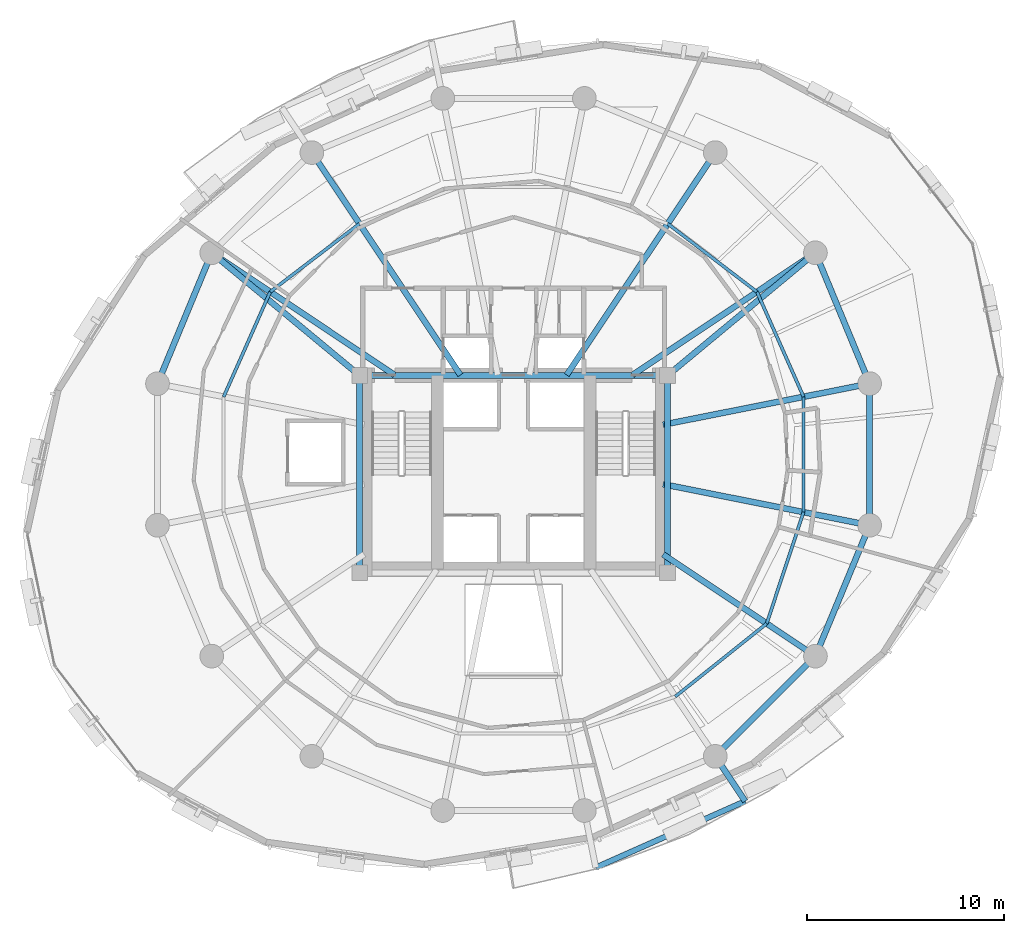
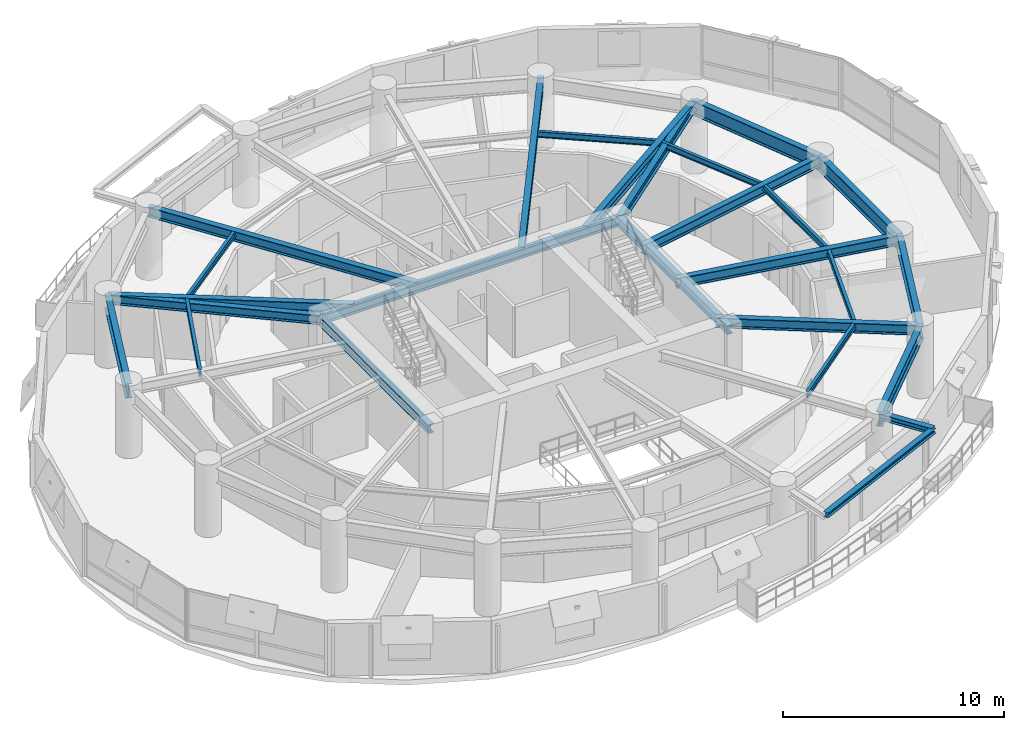
# One storey, part 5 of 14: 26 beams.
"""IFC4 building model written with IfcOpenShell, lengths in metres."""

import ifcopenshell
import ifcopenshell.guid

model = None  # the IFC model being written
_history = None  # IfcOwnerHistory: only IFC2X3 demands one
_inside = {}  # id of a spatial element -> (the spatial element, [elements in it])
_under = {}  # id of a project, library or spatial element -> (it, [spatial elements below it])
_declared = {}  # id of a project -> (the project, [libraries it declares])
_typed = {}  # id of a type object -> (the type object, [elements of that type])
_made_of = {}  # id of a material, layer set ... -> (it, [elements and type objects made of it])


def new_model(schema):
    """Start an empty IFC model of exactly this schema.

    Asked for "IFC4X3", IfcOpenShell would pick the latest addendum, in which some entities
    have other attributes; the version numbers below select the first issue.
    IFC2X3 requires an IfcOwnerHistory on every rooted entity: one is made here for all.
    """
    global model, _history
    if schema == "IFC4X3":
        model = ifcopenshell.file(schema_version=(4, 3, 0, 0))
    else:
        model = ifcopenshell.file(schema=schema)
    _inside.clear()
    _under.clear()
    _declared.clear()
    _typed.clear()
    _made_of.clear()
    _history = None
    if model.schema == "IFC2X3":
        org = make("IfcOrganization", Name="unknown")
        user = make(
            "IfcPersonAndOrganization",
            ThePerson=make("IfcPerson", FamilyName="unknown"),
            TheOrganization=org,
        )
        app = make(
            "IfcApplication",
            ApplicationDeveloper=org,
            Version="unknown",
            ApplicationFullName="unknown",
            ApplicationIdentifier="unknown",
        )
        _history = make(
            "IfcOwnerHistory",
            OwningUser=user,
            OwningApplication=app,
            ChangeAction="ADDED",
            CreationDate=0,
        )
    return model


def make(cls, **values):
    """One entity of the class cls with the attributes given. An attribute that is None is left unset."""
    return model.create_entity(
        cls, **{name: value for name, value in values.items() if value is not None}
    )


def rooted(cls, **values):
    """An entity with a GlobalId (a new one), such as an element, a storey or a relation."""
    return make(cls, GlobalId=ifcopenshell.guid.new(), OwnerHistory=_history, **values)


def si_unit(unit_type, name, prefix=None):
    """IfcSIUnit, for example si_unit("LENGTHUNIT", "METRE", prefix="MILLI")."""
    return make("IfcSIUnit", UnitType=unit_type, Prefix=prefix, Name=name)


def assignment(units):
    """IfcUnitAssignment: the units of a project."""
    return None if units is None else make("IfcUnitAssignment", Units=units)


def point(xyz):
    """IfcCartesianPoint."""
    return None if xyz is None else make("IfcCartesianPoint", Coordinates=xyz)


def direction(xyz):
    """IfcDirection."""
    return None if xyz is None else make("IfcDirection", DirectionRatios=xyz)


def frame(location, z_axis=None, x_axis=None):
    """IfcAxis2Placement3D, a coordinate frame: its origin and axes. An axis left out is left unset."""
    return make(
        "IfcAxis2Placement3D",
        Location=point(location),
        Axis=direction(z_axis),
        RefDirection=direction(x_axis),
    )


def frame_2d(location, x_axis=None):
    """IfcAxis2Placement2D, a coordinate frame in the plane: its origin and x axis."""
    return make(
        "IfcAxis2Placement2D", Location=point(location), RefDirection=direction(x_axis)
    )


def origin():
    """The frame at (0, 0, 0) with its axes left unset."""
    return frame((0.0, 0.0, 0.0))


def origin_2d():
    """The frame at (0, 0) in the plane with its x axis left unset."""
    return frame_2d((0.0, 0.0))


def place(relative_to, where):
    """IfcLocalPlacement: puts the frame where relative to a parent placement (None: the world)."""
    return make(
        "IfcLocalPlacement", PlacementRelTo=relative_to, RelativePlacement=where
    )


def context(
    kind, dimensions, precision=None, world=None, true_north=None, identifier=None
):
    """IfcGeometricRepresentationContext, for example the 3D "Model" context."""
    return make(
        "IfcGeometricRepresentationContext",
        ContextIdentifier=identifier,
        ContextType=kind,
        CoordinateSpaceDimension=dimensions,
        Precision=precision,
        WorldCoordinateSystem=world,
        TrueNorth=true_north,
    )


def subcontext(parent, identifier, kind, view, scale=None):
    """IfcGeometricRepresentationSubContext, for example "Body" below "Model"."""
    return make(
        "IfcGeometricRepresentationSubContext",
        ContextIdentifier=identifier,
        ContextType=kind,
        ParentContext=parent,
        TargetScale=scale,
        TargetView=view,
    )


def project(units=None, contexts=None):
    """IfcProject with its units and contexts."""
    return rooted(
        "IfcProject",
        Name="project",
        RepresentationContexts=contexts,
        UnitsInContext=assignment(units),
    )


def spatial(cls, under=None, at=None, **own):
    """A site, building, storey or space (cls), placed at a placement, below another one or the project."""
    s = rooted(cls, ObjectPlacement=at, **own)
    if under is not None:
        _under.setdefault(under.id(), (under, []))[1].append(s)
    return s


def profile(cls, at=None, kind="AREA", **sizes):
    """A parametric profile (cls). Its sizes go by their IFC names, for example OverallWidth=200.0."""
    return make(cls, ProfileType=kind, Position=at, **sizes)


def i_section(**sizes):
    """IfcIShapeProfileDef."""
    return profile("IfcIShapeProfileDef", **sizes)


def extrude(swept, where, along, depth):
    """IfcExtrudedAreaSolid: the profile swept, set in the frame where, extruded along a direction by depth."""
    return make(
        "IfcExtrudedAreaSolid",
        SweptArea=swept,
        Position=where,
        ExtrudedDirection=direction(along),
        Depth=depth,
    )


def shape(context_of_items, identifier, shape_type, items):
    """IfcShapeRepresentation: the items that make up one representation, for example the "Body"."""
    return make(
        "IfcShapeRepresentation",
        ContextOfItems=context_of_items,
        RepresentationIdentifier=identifier,
        RepresentationType=shape_type,
        Items=items,
    )


def material(Name=None, Category=None):
    """IfcMaterial."""
    return make("IfcMaterial", Name=Name, Category=Category)


def material_profile(
    of_material, cross_section, Name=None, Category=None, Priority=None
):
    """IfcMaterialProfile: a cross section and its material."""
    return make(
        "IfcMaterialProfile",
        Name=Name,
        Material=of_material,
        Profile=cross_section,
        Priority=Priority,
        Category=Category,
    )


def profile_set(profiles, Name=None, composite=None):
    """IfcMaterialProfileSet."""
    return make(
        "IfcMaterialProfileSet",
        Name=Name,
        MaterialProfiles=profiles,
        CompositeProfile=composite,
    )


def made_of(thing, what):
    """Note that an element or type object is made of a material, layer set ...; save() writes the relation."""
    if what is not None:
        _made_of.setdefault(what.id(), (what, []))[1].append(thing)
    return thing


def type_object(cls, material=None, **own):
    """A type object (cls), such as IfcWallType, which elements share."""
    return made_of(rooted(cls, **own), material)


def element(
    cls,
    number,
    at=None,
    inside=None,
    cuts=None,
    type_object=None,
    material=None,
    context=None,
    identifier="Body",
    shape_type=None,
    held_by="IfcProductDefinitionShape",
    body=None,
    shapes=None,
    **own,
):
    """One element of the class cls, such as IfcWall. Its Tag is "e" and its number.

    at: its placement. inside: the storey or other place that contains it. cuts: it is an
    opening in that element (IfcRelVoidsElement). A single representation is given by context,
    identifier, shape_type and body (its items); several are given by shapes. held_by: the class
    of the entity that holds the representations. save() writes the other relations.
    """
    e = rooted(cls, Tag="e%d" % number, ObjectPlacement=at, **own)
    if body is not None:
        shapes = [shape(context, identifier, shape_type, body)]
    if shapes is not None:
        e.Representation = make(held_by, Representations=shapes)
    if inside is not None:
        _inside.setdefault(inside.id(), (inside, []))[1].append(e)
    if cuts is not None:
        rooted(
            "IfcRelVoidsElement", RelatingBuildingElement=cuts, RelatedOpeningElement=e
        )
    if type_object is not None:
        _typed.setdefault(type_object.id(), (type_object, []))[1].append(e)
    return made_of(e, material)


def aggregate(whole, parts):
    """IfcRelAggregates: a whole, such as a stair, and the parts it consists of."""
    return rooted("IfcRelAggregates", RelatingObject=whole, RelatedObjects=parts)


def save(model, path):
    """Write the relations noted so far, then the file.

    IfcRelAggregates (storeys below a building ...), IfcRelContainedInSpatialStructure (elements
    in a storey), IfcRelDefinesByType, IfcRelAssociatesMaterial and IfcRelDeclares: one each for
    every whole, place, type object, material and project.
    """
    for whole, parts in _under.values():
        aggregate(whole, parts)
    for where, things in _inside.values():
        rooted(
            "IfcRelContainedInSpatialStructure",
            RelatedElements=things,
            RelatingStructure=where,
        )
    for kind, things in _typed.values():
        rooted("IfcRelDefinesByType", RelatedObjects=things, RelatingType=kind)
    for what, things in _made_of.values():
        rooted("IfcRelAssociatesMaterial", RelatedObjects=things, RelatingMaterial=what)
    for by, libraries in _declared.values():
        rooted("IfcRelDeclares", RelatingContext=by, RelatedDefinitions=libraries)
    model.write(path)


model = new_model("IFC4")

# Units and contexts
model_context = context("Model", 3, precision=1e-05, world=origin(), true_north=direction((0.0, 1.0)))
body_context = subcontext(model_context, "Body", "Model", "MODEL_VIEW")
ifc_project = project(units=[si_unit("LENGTHUNIT", "METRE"), si_unit("AREAUNIT", "SQUARE_METRE"), si_unit("VOLUMEUNIT", "CUBIC_METRE"), si_unit("PLANEANGLEUNIT", "RADIAN"), si_unit("MASSUNIT", "GRAM", prefix="KILO"), si_unit("THERMODYNAMICTEMPERATUREUNIT", "KELVIN"), si_unit("POWERUNIT", "WATT")], contexts=[model_context])

# Site, building, storey
site_placement = place(None, origin())
site = spatial("IfcSite", under=ifc_project, at=site_placement, CompositionType="ELEMENT")
building_placement = place(site_placement, origin())
building = spatial("IfcBuilding", under=site, at=building_placement, Name="Ocrelia Relay Tower", CompositionType="ELEMENT")
storey_placement = place(building_placement, frame((0.0, 0.0, 137.800048828125)))
storey = spatial("IfcBuildingStorey", under=building, at=storey_placement, Name="L32", CompositionType="ELEMENT", Elevation=137.800048828125)

# Beams
ifc_material = material(Name="Steel S355", Category="steel")
ifc_material_profile_1 = material_profile(ifc_material, i_section(OverallWidth=0.280029296875, OverallDepth=0.27001953125, WebThickness=0.008056640625, FlangeThickness=0.012939453125, FilletRadius=0.02392578125, at=origin_2d()), Name="HEA 280")
ifc_profile_set_1 = profile_set([ifc_material_profile_1], Name="Steel S355")
beam_type_1 = type_object("IfcBeamType", Name="BM-HEA280", PredefinedType="BEAM", material=ifc_profile_set_1)
beam_1_placement = place(storey_placement, frame((38.164794921875, 5.06298828125, 3.5849609375), z_axis=(0.913941444777, 0.405846073676, 0.0), x_axis=(-0.405846073676, 0.913941444777, 0.0)))
element("IfcBeam", 1, at=beam_1_placement, inside=storey, type_object=beam_type_1, Name="L33 Balcony Edge Trimmer Beam B2", PredefinedType="BEAM", context=body_context, shape_type="SweptSolid", body=[
    extrude(i_section(OverallWidth=0.280029296875, OverallDepth=0.27001953125, WebThickness=0.008056640625, FlangeThickness=0.012939453125, FilletRadius=0.02392578125, at=origin_2d()), origin(), (0.0, 0.0, 1.0), 8.2900390625),
])
ifc_material_profile_2 = material_profile(ifc_material, i_section(OverallWidth=0.300048828125, OverallDepth=0.330078125, WebThickness=0.009521484375, FlangeThickness=0.0166015625, FilletRadius=0.027099609375, at=origin_2d()), Name="HEA 340")
ifc_profile_set_2 = profile_set([ifc_material_profile_2], Name="Steel S355")
beam_type_2 = type_object("IfcBeamType", Name="BM-HEA340", PredefinedType="BEAM", material=ifc_profile_set_2)
beam_2_placement = place(storey_placement, frame((44.222412109375, 10.700927734375, 3.554931640625), z_axis=(0.555565326919, -0.831472890433, 0.0), x_axis=(0.831472890433, 0.555565326919, 0.0)))
element("IfcBeam", 2, at=beam_2_placement, inside=storey, type_object=beam_type_2, Name="L33 Balcony Cantilever Beam B2-2", PredefinedType="BEAM", context=body_context, shape_type="SweptSolid", body=[
    extrude(i_section(OverallWidth=0.300048828125, OverallDepth=0.330078125, WebThickness=0.009521484375, FlangeThickness=0.0166015625, FilletRadius=0.027099609375, at=origin_2d()), origin(), (0.0, 0.0, 1.0), 2.734130859375),
])
ifc_material_profile_3 = material_profile(ifc_material, i_section(OverallWidth=0.300048828125, OverallDepth=0.5, WebThickness=0.014404296875, FlangeThickness=0.028076171875, FilletRadius=0.027099609375, at=origin_2d()), Name="HEB 500")
ifc_profile_set_3 = profile_set([ifc_material_profile_3], Name="Steel S355")
beam_type_3 = type_object("IfcBeamType", Name="BM-HEB500", PredefinedType="BEAM", material=ifc_profile_set_3)
beam_3_placement = place(storey_placement, frame((26.199951171875, 30.0, 3.469970703125), z_axis=(1.0, 0.0, 0.0), x_axis=(0.0, 1.0, 0.0)))
element("IfcBeam", 3, at=beam_3_placement, inside=storey, type_object=beam_type_3, Name="L32 Core Pilaster Tie Beam N", PredefinedType="BEAM", context=body_context, shape_type="SweptSolid", body=[
    extrude(i_section(OverallWidth=0.300048828125, OverallDepth=0.5, WebThickness=0.014404296875, FlangeThickness=0.028076171875, FilletRadius=0.027099609375, at=origin_2d()), origin(), (0.0, 0.0, 1.0), 15.60009765625),
])
for number, where, z_axis, x_axis, name in (
    (4, (26.199951171875, 20.0, 3.469970703125), (0.0, 1.0, 0.0), (-1.0, 0.0, 0.0), "L32 Core Pilaster Tie Beam W"),
    (5, (41.800048828125, 20.0, 3.469970703125), (0.0, 1.0, 0.0), (-1.0, 0.0, 0.0), "L32 Core Pilaster Tie Beam E"),
):
    element("IfcBeam", number, at=place(storey_placement, frame(where, z_axis=z_axis, x_axis=x_axis)), inside=storey, type_object=beam_type_3, Name=name, PredefinedType="BEAM", context=body_context, shape_type="SweptSolid", body=[
        extrude(i_section(OverallWidth=0.300048828125, OverallDepth=0.5, WebThickness=0.014404296875, FlangeThickness=0.028076171875, FilletRadius=0.027099609375, at=origin_2d()), origin(), (0.0, 0.0, 1.0), 10.0),
    ])
for number, where, z_axis, x_axis, name in (
    (6, (49.299072265625, 36.222412109375, 3.469970703125), (-0.769570862751, -0.638561420072, 0.0), (0.638561420072, -0.769570862751, 0.0), "L32 Core Pilaster Frame Tie Beam PT02"),
    (7, (18.700927734375, 36.222412109375, 3.469970703125), (0.769570862751, -0.638561420072, 0.0), (0.638561420072, 0.769570862751, 0.0), "L32 Core Pilaster Frame Tie Beam PT07"),
):
    element("IfcBeam", number, at=place(storey_placement, frame(where, z_axis=z_axis, x_axis=x_axis)), inside=storey, type_object=beam_type_3, Name=name, PredefinedType="BEAM", context=body_context, shape_type="SweptSolid", body=[
        extrude(i_section(OverallWidth=0.300048828125, OverallDepth=0.5, WebThickness=0.014404296875, FlangeThickness=0.028076171875, FilletRadius=0.027099609375, at=origin_2d()), origin(), (0.0, 0.0, 1.0), 9.744384765625),
    ])
ifc_material_profile_4 = material_profile(ifc_material, i_section(OverallWidth=0.300048828125, OverallDepth=0.550048828125, WebThickness=0.014892578125, FlangeThickness=0.029052734375, FilletRadius=0.027099609375, at=origin_2d()), Name="HEB 550")
ifc_profile_set_4 = profile_set([ifc_material_profile_4], Name="Steel S355")
beam_type_4 = type_object("IfcBeamType", Name="BM-HEB550", PredefinedType="BEAM", material=ifc_profile_set_4)
beam_4_placement = place(storey_placement, frame((52.04638671875, 29.589599609375, 3.445068359375), z_axis=(-0.980786914024, -0.195082109071, 0.0), x_axis=(0.195082109071, -0.980786914024, 0.0)))
element("IfcBeam", 8, at=beam_4_placement, inside=storey, type_object=beam_type_4, Name="L32 Radial Floor Girder R01", PredefinedType="BEAM", context=body_context, shape_type="SweptSolid", body=[
    extrude(i_section(OverallWidth=0.300048828125, OverallDepth=0.550048828125, WebThickness=0.014892578125, FlangeThickness=0.029052734375, FilletRadius=0.027099609375, at=origin_2d()), origin(), (0.0, 0.0, 1.0), 10.67138671875),
])
beam_5_placement = place(storey_placement, frame((49.299072265625, 36.222412109375, 3.445068359375), z_axis=(-0.83147699108, -0.555559189741, 0.0), x_axis=(0.555559189741, -0.83147699108, 0.0)))
element("IfcBeam", 9, at=beam_5_placement, inside=storey, type_object=beam_type_4, Name="L32 Radial Floor Girder R02", PredefinedType="BEAM", context=body_context, shape_type="SweptSolid", body=[
    extrude(i_section(OverallWidth=0.300048828125, OverallDepth=0.550048828125, WebThickness=0.014892578125, FlangeThickness=0.029052734375, FilletRadius=0.027099609375, at=origin_2d()), origin(), (0.0, 0.0, 1.0), 11.146240234375),
])
for number, where, z_axis, x_axis, name in (
    (10, (44.222412109375, 41.299072265625, 3.445068359375), (-0.555560399988, -0.83147618244, 0.0), (0.83147618244, -0.555560399988, 0.0), "L32 Radial Floor Girder R03"),
    (11, (23.777587890625, 41.299072265625, 3.445068359375), (0.555560399988, -0.83147618244, 0.0), (0.83147618244, 0.555560399988, 0.0), "L32 Radial Floor Girder R06"),
):
    element("IfcBeam", number, at=place(storey_placement, frame(where, z_axis=z_axis, x_axis=x_axis)), inside=storey, type_object=beam_type_4, Name=name, PredefinedType="BEAM", context=body_context, shape_type="SweptSolid", body=[
        extrude(i_section(OverallWidth=0.300048828125, OverallDepth=0.550048828125, WebThickness=0.014892578125, FlangeThickness=0.029052734375, FilletRadius=0.027099609375, at=origin_2d()), origin(), (0.0, 0.0, 1.0), 13.552978515625),
    ])
beam_6_placement = place(storey_placement, frame((18.700927734375, 36.222412109375, 3.445068359375), z_axis=(0.83147699108, -0.555559189741, 0.0), x_axis=(0.555559189741, 0.83147699108, 0.0)))
element("IfcBeam", 12, at=beam_6_placement, inside=storey, type_object=beam_type_4, Name="L32 Radial Floor Girder R07", PredefinedType="BEAM", context=body_context, shape_type="SweptSolid", body=[
    extrude(i_section(OverallWidth=0.300048828125, OverallDepth=0.550048828125, WebThickness=0.014892578125, FlangeThickness=0.029052734375, FilletRadius=0.027099609375, at=origin_2d()), origin(), (0.0, 0.0, 1.0), 11.146240234375),
])
beam_7_placement = place(storey_placement, frame((49.299072265625, 15.777587890625, 3.445068359375), z_axis=(-0.8314672312, 0.555573796575, 0.0), x_axis=(-0.555573796575, -0.8314672312, 0.0)))
element("IfcBeam", 13, at=beam_7_placement, inside=storey, type_object=beam_type_4, Name="L32 Radial Floor Girder R15", PredefinedType="BEAM", context=body_context, shape_type="SweptSolid", body=[
    extrude(i_section(OverallWidth=0.300048828125, OverallDepth=0.550048828125, WebThickness=0.014892578125, FlangeThickness=0.029052734375, FilletRadius=0.027099609375, at=origin_2d()), origin(), (0.0, 0.0, 1.0), 9.28369140625),
])
beam_8_placement = place(storey_placement, frame((52.04638671875, 22.410400390625, 3.445068359375), z_axis=(-0.980786914024, 0.195082109071, 0.0), x_axis=(-0.195082109071, -0.980786914024, 0.0)))
element("IfcBeam", 14, at=beam_8_placement, inside=storey, type_object=beam_type_4, Name="L32 Radial Floor Girder R16", PredefinedType="BEAM", context=body_context, shape_type="SweptSolid", body=[
    extrude(i_section(OverallWidth=0.300048828125, OverallDepth=0.550048828125, WebThickness=0.014892578125, FlangeThickness=0.029052734375, FilletRadius=0.027099609375, at=origin_2d()), origin(), (0.0, 0.0, 1.0), 10.67138671875),
])
ifc_material_profile_5 = material_profile(ifc_material, i_section(OverallWidth=0.300048828125, OverallDepth=0.800048828125, WebThickness=0.017578125, FlangeThickness=0.032958984375, FilletRadius=0.030029296875, at=origin_2d()), Name="HEB 800")
ifc_profile_set_5 = profile_set([ifc_material_profile_5], Name="Steel S355")
beam_type_5 = type_object("IfcBeamType", Name="BM-HEB800", PredefinedType="BEAM", material=ifc_profile_set_5)
for number, where, z_axis, x_axis, name in (
    (15, (52.04638671875, 29.589599609375, 3.320068359375), (-0.382673155247, 0.923883789366, 0.0), (-0.923883789366, -0.382673155247, 0.0), "L32 Perimeter Spandrel Beam S01"),
    (16, (18.700927734375, 36.222412109375, 3.320068359375), (-0.382673155247, -0.923883789366, 0.0), (0.923883789366, -0.382673155247, 0.0), "L32 Perimeter Spandrel Beam S07"),
):
    element("IfcBeam", number, at=place(storey_placement, frame(where, z_axis=z_axis, x_axis=x_axis)), inside=storey, type_object=beam_type_5, Name=name, PredefinedType="BEAM", context=body_context, shape_type="SweptSolid", body=[
        extrude(i_section(OverallWidth=0.300048828125, OverallDepth=0.800048828125, WebThickness=0.017578125, FlangeThickness=0.032958984375, FilletRadius=0.030029296875, at=origin_2d()), origin(), (0.0, 0.0, 1.0), 7.17919921875),
    ])
beam_9_placement = place(storey_placement, frame((44.222412109375, 10.700927734375, 3.320068359375), z_axis=(0.707106781187, 0.707106781187, 0.0), x_axis=(-0.707106781187, 0.707106781187, 0.0)))
element("IfcBeam", 17, at=beam_9_placement, inside=storey, type_object=beam_type_5, Name="L32 Perimeter Spandrel Beam S14", PredefinedType="BEAM", context=body_context, shape_type="SweptSolid", body=[
    extrude(i_section(OverallWidth=0.300048828125, OverallDepth=0.800048828125, WebThickness=0.017578125, FlangeThickness=0.032958984375, FilletRadius=0.030029296875, at=origin_2d()), origin(), (0.0, 0.0, 1.0), 7.179443359375),
])
for number, where, z_axis, x_axis, name in (
    (18, (49.299072265625, 15.777587890625, 3.320068359375), (0.382673155247, 0.923883789366, 0.0), (-0.923883789366, 0.382673155247, 0.0), "L32 Perimeter Spandrel Beam S15"),
    (19, (52.04638671875, 22.410400390625, 3.320068359375), (0.0, 1.0, 0.0), (-1.0, 0.0, 0.0), "L32 Perimeter Spandrel Beam S16"),
):
    element("IfcBeam", number, at=place(storey_placement, frame(where, z_axis=z_axis, x_axis=x_axis)), inside=storey, type_object=beam_type_5, Name=name, PredefinedType="BEAM", context=body_context, shape_type="SweptSolid", body=[
        extrude(i_section(OverallWidth=0.300048828125, OverallDepth=0.800048828125, WebThickness=0.017578125, FlangeThickness=0.032958984375, FilletRadius=0.030029296875, at=origin_2d()), origin(), (0.0, 0.0, 1.0), 7.17919921875),
    ])
ifc_material_profile_6 = material_profile(ifc_material, i_section(OverallWidth=0.159912109375, OverallDepth=0.330078125, WebThickness=0.007568359375, FlangeThickness=0.011474609375, FilletRadius=0.01806640625, at=origin_2d()), Name="IPE 330")
ifc_profile_set_6 = profile_set([ifc_material_profile_6], Name="Steel S355")
beam_type_6 = type_object("IfcBeamType", Name="BM-IPE330", PredefinedType="JOIST", material=ifc_profile_set_6)
beam_10_placement = place(storey_placement, frame((48.697265625, 28.923583984375, 3.554931640625), z_axis=(-0.406243565397, 0.913764830563, 0.0), x_axis=(-0.913764830563, -0.406243565397, 0.0)))
element("IfcBeam", 20, at=beam_10_placement, inside=storey, type_object=beam_type_6, Name="L32 Secondary Floor Joist J01", PredefinedType="JOIST", context=body_context, shape_type="SweptSolid", body=[
    extrude(i_section(OverallWidth=0.159912109375, OverallDepth=0.330078125, WebThickness=0.007568359375, FlangeThickness=0.011474609375, FilletRadius=0.01806640625, at=origin_2d()), origin(), (0.0, 0.0, 1.0), 5.819091796875),
])
for number, where, z_axis, x_axis, name in (
    (21, (46.333251953125, 34.240966796875, 3.554931640625), (-0.794762167004, 0.60692099807, 0.0), (-0.60692099807, -0.794762167004, 0.0), "L32 Secondary Floor Joist J02"),
    (22, (26.18701171875, 37.69287109375, 3.554931640625), (-0.794762167004, -0.60692099807, 0.0), (0.60692099807, -0.794762167004, 0.0), "L32 Secondary Floor Joist J06"),
):
    element("IfcBeam", number, at=place(storey_placement, frame(where, z_axis=z_axis, x_axis=x_axis)), inside=storey, type_object=beam_type_6, Name=name, PredefinedType="JOIST", context=body_context, shape_type="SweptSolid", body=[
        extrude(i_section(OverallWidth=0.159912109375, OverallDepth=0.330078125, WebThickness=0.007568359375, FlangeThickness=0.011474609375, FilletRadius=0.01806640625, at=origin_2d()), origin(), (0.0, 0.0, 1.0), 5.6875),
    ])
beam_11_placement = place(storey_placement, frame((21.666748046875, 34.240966796875, 3.554931640625), z_axis=(-0.405741333342, -0.913987948727, 0.0), x_axis=(0.913987948727, -0.405741333342, 0.0)))
element("IfcBeam", 23, at=beam_11_placement, inside=storey, type_object=beam_type_6, Name="L32 Secondary Floor Joist J07", PredefinedType="JOIST", context=body_context, shape_type="SweptSolid", body=[
    extrude(i_section(OverallWidth=0.159912109375, OverallDepth=0.330078125, WebThickness=0.007568359375, FlangeThickness=0.011474609375, FilletRadius=0.01806640625, at=origin_2d()), origin(), (0.0, 0.0, 1.0), 5.818603515625),
])
beam_12_placement = place(storey_placement, frame((42.197998046875, 13.731201171875, 3.554931640625), z_axis=(0.781519577804, 0.623880717372, 0.0), x_axis=(-0.623880717372, 0.781519577804, 0.0)))
element("IfcBeam", 24, at=beam_12_placement, inside=storey, type_object=beam_type_6, Name="L32 Secondary Floor Joist J14", PredefinedType="JOIST", context=body_context, shape_type="SweptSolid", body=[
    extrude(i_section(OverallWidth=0.159912109375, OverallDepth=0.330078125, WebThickness=0.007568359375, FlangeThickness=0.011474609375, FilletRadius=0.01806640625, at=origin_2d()), origin(), (0.0, 0.0, 1.0), 5.925537109375),
])
beam_13_placement = place(storey_placement, frame((46.828857421875, 17.427978515625, 3.554931640625), z_axis=(0.314047924314, 0.949407131443, 0.0), x_axis=(-0.949407131443, 0.314047924314, 0.0)))
element("IfcBeam", 25, at=beam_13_placement, inside=storey, type_object=beam_type_6, Name="L32 Secondary Floor Joist J15", PredefinedType="JOIST", context=body_context, shape_type="SweptSolid", body=[
    extrude(i_section(OverallWidth=0.159912109375, OverallDepth=0.330078125, WebThickness=0.007568359375, FlangeThickness=0.011474609375, FilletRadius=0.01806640625, at=origin_2d()), origin(), (0.0, 0.0, 1.0), 5.949462890625),
])
beam_14_placement = place(storey_placement, frame((48.697265625, 23.076416015625, 3.554931640625), z_axis=(0.0, 1.0, 0.0), x_axis=(-1.0, 0.0, 0.0)))
element("IfcBeam", 26, at=beam_14_placement, inside=storey, type_object=beam_type_6, Name="L32 Secondary Floor Joist J16", PredefinedType="JOIST", context=body_context, shape_type="SweptSolid", body=[
    extrude(i_section(OverallWidth=0.159912109375, OverallDepth=0.330078125, WebThickness=0.007568359375, FlangeThickness=0.011474609375, FilletRadius=0.01806640625, at=origin_2d()), origin(), (0.0, 0.0, 1.0), 5.84716796875),
])

save(model, "model.ifc")
